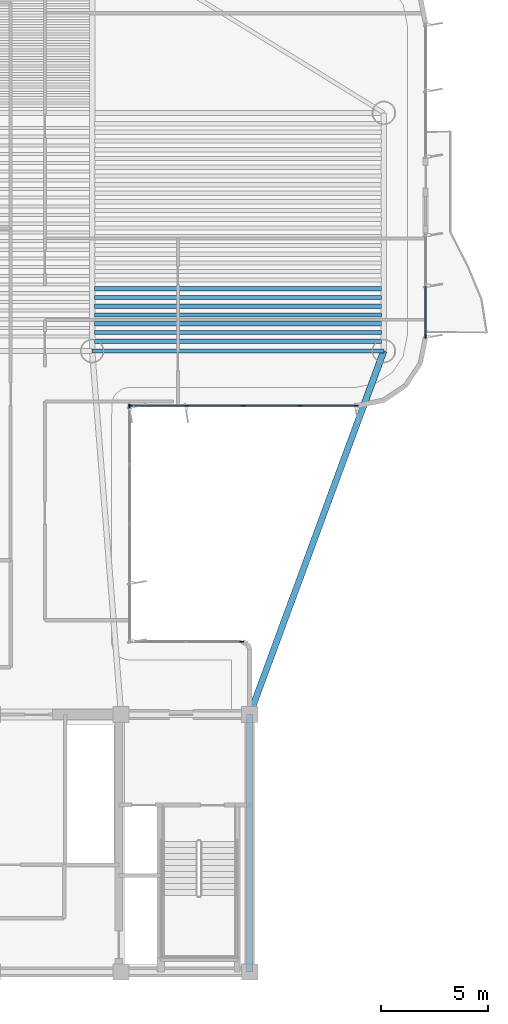
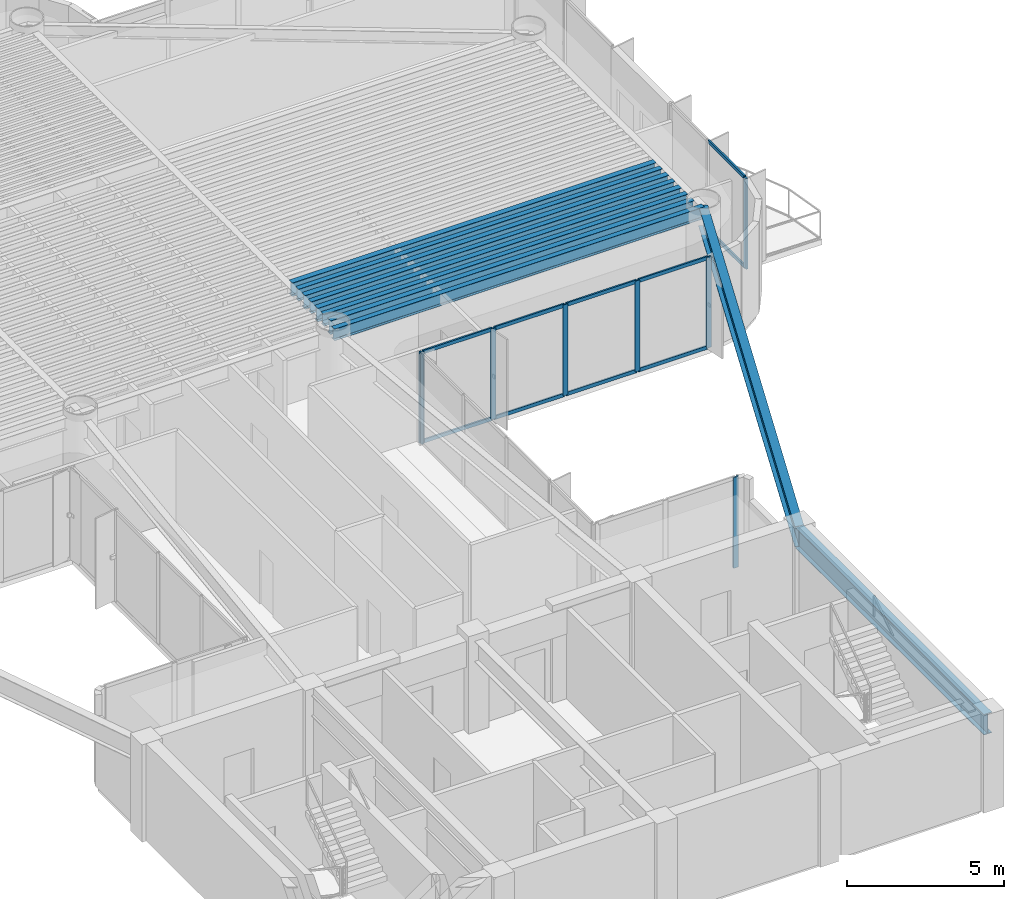
# One storey, part 4 of 14: 18 members, 10 beams, 4 elements without a shape of their own.
"""IFC4 building model written with IfcOpenShell, lengths in metres."""

from ifc_helpers import new_model, si_unit, direction, frame, origin, origin_2d, place, context, subcontext, project, spatial, rectangle, i_section, extrude, source, transform, mapped, material, layer, layer_set, material_profile, profile_set, type_object, element, aggregate, save


model = new_model("IFC4")

# Units and contexts
model_context = context("Model", 3, precision=1e-05, world=origin(), true_north=direction((0.0, 1.0)))
body_context = subcontext(model_context, "Body", "Model", "MODEL_VIEW")
ifc_project = project(units=[si_unit("LENGTHUNIT", "METRE"), si_unit("AREAUNIT", "SQUARE_METRE"), si_unit("VOLUMEUNIT", "CUBIC_METRE"), si_unit("PLANEANGLEUNIT", "RADIAN"), si_unit("MASSUNIT", "GRAM", prefix="KILO")], contexts=[model_context])

# Site, building, storey
site_placement = place(None, origin())
site = spatial("IfcSite", under=ifc_project, at=site_placement, CompositionType="ELEMENT")
building_placement = place(site_placement, origin())
building = spatial("IfcBuilding", under=site, at=building_placement, Name="Brelvock Crest Care Tower", CompositionType="ELEMENT")
storey_placement = place(building_placement, frame((0.0, 0.0, 175.320068359375)))
storey = spatial("IfcBuildingStorey", under=building, at=storey_placement, Name="L44", CompositionType="ELEMENT", Elevation=175.320068359375)

# Beams
ifc_material_1 = material(Name="Steel Grade 350", Category="steel")
ifc_material_profile_1 = material_profile(ifc_material_1, i_section(OverallWidth=0.300048828125, OverallDepth=0.800048828125, WebThickness=0.013916015625, FlangeThickness=0.02197265625, at=origin_2d()), Name="800WB192")
ifc_profile_set_1 = profile_set([ifc_material_profile_1], Name="Steel Grade 350")
beam_type_1 = type_object("IfcBeamType", Name="BM-G5", PredefinedType="BEAM", material=ifc_profile_set_1)
shared_shape_1 = source(origin(), body_context, "Body", "SweptSolid", [
    extrude(i_section(OverallWidth=0.300048828125, OverallDepth=0.800048828125, WebThickness=0.013916015625, FlangeThickness=0.02197265625, at=origin_2d()), origin(), (0.0, 0.0, 1.0), 12.0),
])
beam_1_placement = place(storey_placement, frame((48.0, 6.0, 3.1298828125), z_axis=(0.0, 1.0, 0.0), x_axis=(-1.0, 0.0, 0.0)))
element("IfcBeam", 1, at=beam_1_placement, inside=storey, type_object=beam_type_1, Name="BM-COREX-L44-5", PredefinedType="BEAM", context=body_context, shape_type="MappedRepresentation", body=[
    mapped(shared_shape_1, transform((0.0, 0.0, 0.0), x_axis=(1.0, 0.0, 0.0), y_axis=(0.0, 1.0, 0.0), z_axis=(0.0, 0.0, 1.0), scale=1.0)),
])
ifc_material_profile_2 = material_profile(ifc_material_1, i_section(OverallWidth=0.208984375, OverallDepth=0.532958984375, WebThickness=0.01025390625, FlangeThickness=0.015625, FilletRadius=0.013916015625, at=origin_2d()), Name="530UB92.4")
ifc_profile_set_2 = profile_set([ifc_material_profile_2], Name="Steel Grade 350")
beam_type_2 = type_object("IfcBeamType", Name="BM-G2", PredefinedType="BEAM", material=ifc_profile_set_2)
shared_shape_2 = source(origin(), body_context, "Body", "SweptSolid", [
    extrude(i_section(OverallWidth=0.208984375, OverallDepth=0.532958984375, WebThickness=0.01025390625, FlangeThickness=0.015625, FilletRadius=0.013916015625, at=origin_2d()), origin(), (0.0, 0.0, 1.0), 13.3701171875),
])
for number, where, z_axis, x_axis, name in (
    (2, (40.764892578125, 35.416259765625, 3.263427734375), (1.0, 0.0, 0.0), (0.0, 1.0, 0.0), "BM-JE-L44-1"),
    (3, (40.764892578125, 36.2265625, 3.263427734375), (1.0, 0.0, 0.0), (0.0, 1.0, 0.0), "BM-JE-L44-3"),
    (4, (40.764892578125, 37.036865234375, 3.263427734375), (1.0, 0.0, 0.0), (0.0, 1.0, 0.0), "BM-JE-L44-5"),
    (5, (40.764892578125, 37.84716796875, 3.263427734375), (1.0, 0.0, 0.0), (0.0, 1.0, 0.0), "BM-JE-L44-7"),
):
    element("IfcBeam", number, at=place(storey_placement, frame(where, z_axis=z_axis, x_axis=x_axis)), inside=storey, type_object=beam_type_2, Name=name, PredefinedType="BEAM", context=body_context, shape_type="MappedRepresentation", body=[
        mapped(shared_shape_2, transform((0.0, 0.0, 0.0), x_axis=(1.0, 0.0, 0.0), y_axis=(0.0, 1.0, 0.0), z_axis=(0.0, 0.0, 1.0), scale=1.0)),
    ])
ifc_material_profile_3 = material_profile(ifc_material_1, i_section(OverallWidth=0.19091796875, OverallDepth=0.4599609375, WebThickness=0.010009765625, FlangeThickness=0.01611328125, FilletRadius=0.011474609375, at=origin_2d()), Name="460UB82.1")
ifc_profile_set_3 = profile_set([ifc_material_profile_3], Name="Steel Grade 350")
beam_type_3 = type_object("IfcBeamType", Name="BM-G3", PredefinedType="BEAM", material=ifc_profile_set_3)
shared_shape_3 = source(origin(), body_context, "Body", "SweptSolid", [
    extrude(i_section(OverallWidth=0.19091796875, OverallDepth=0.4599609375, WebThickness=0.010009765625, FlangeThickness=0.01611328125, FilletRadius=0.011474609375, at=origin_2d()), origin(), (0.0, 0.0, 1.0), 13.3701171875),
])
for number, where, z_axis, x_axis, name in (
    (6, (40.764892578125, 35.8212890625, 3.300048828125), (1.0, 0.0, 0.0), (0.0, 1.0, 0.0), "BM-JE-L44-2"),
    (7, (40.764892578125, 36.631591796875, 3.300048828125), (1.0, 0.0, 0.0), (0.0, 1.0, 0.0), "BM-JE-L44-4"),
    (8, (40.764892578125, 37.44189453125, 3.300048828125), (1.0, 0.0, 0.0), (0.0, 1.0, 0.0), "BM-JE-L44-6"),
):
    element("IfcBeam", number, at=place(storey_placement, frame(where, z_axis=z_axis, x_axis=x_axis)), inside=storey, type_object=beam_type_3, Name=name, PredefinedType="BEAM", context=body_context, shape_type="MappedRepresentation", body=[
        mapped(shared_shape_3, transform((0.0, 0.0, 0.0), x_axis=(1.0, 0.0, 0.0), y_axis=(0.0, 1.0, 0.0), z_axis=(0.0, 0.0, 1.0), scale=1.0)),
    ])
ifc_material_profile_4 = material_profile(ifc_material_1, i_section(OverallWidth=0.19091796875, OverallDepth=0.4599609375, WebThickness=0.010009765625, FlangeThickness=0.01611328125, FilletRadius=0.011474609375, at=origin_2d()), Name="460UB82.1")
ifc_profile_set_4 = profile_set([ifc_material_profile_4], Name="Steel Grade 350")
beam_type_4 = type_object("IfcBeamType", Name="BM-SP2", PredefinedType="SPANDREL", material=ifc_profile_set_4)
shared_shape_4 = source(origin(), body_context, "Body", "SweptSolid", [
    extrude(i_section(OverallWidth=0.19091796875, OverallDepth=0.4599609375, WebThickness=0.010009765625, FlangeThickness=0.01611328125, FilletRadius=0.011474609375, at=origin_2d()), origin(), (0.0, 0.0, 1.0), 13.60009765625),
])
beam_2_placement = place(storey_placement, frame((40.64990234375, 34.949951171875, 3.300048828125), z_axis=(1.0, 0.0, 0.0), x_axis=(0.0, 1.0, 0.0)))
element("IfcBeam", 9, at=beam_2_placement, inside=storey, type_object=beam_type_4, Name="BM-TWR-L44-04", PredefinedType="SPANDREL", context=body_context, shape_type="MappedRepresentation", body=[
    mapped(shared_shape_4, transform((0.0, 0.0, 0.0), x_axis=(1.0, 0.0, 0.0), y_axis=(0.0, 1.0, 0.0), z_axis=(0.0, 0.0, 1.0), scale=1.0)),
])
shared_shape_5 = source(origin(), body_context, "Body", "SweptSolid", [
    extrude(i_section(OverallWidth=0.300048828125, OverallDepth=0.800048828125, WebThickness=0.013916015625, FlangeThickness=0.02197265625, at=origin_2d()), origin(), (0.0, 0.0, 1.0), 18.0654296875),
])
beam_3_placement = place(storey_placement, frame((48.0, 18.0, 3.1298828125), z_axis=(0.345962741309, 0.938248251597, 0.0), x_axis=(-0.938248251597, 0.345962741309, 0.0)))
element("IfcBeam", 10, at=beam_3_placement, inside=storey, type_object=beam_type_1, Name="BM-THRO-E-L44", PredefinedType="BEAM", context=body_context, shape_type="MappedRepresentation", body=[
    mapped(shared_shape_5, transform((0.0, 0.0, 0.0), x_axis=(1.0, 0.0, 0.0), y_axis=(0.0, 1.0, 0.0), z_axis=(0.0, 0.0, 1.0), scale=1.0)),
])

# Curtain wall, member
ifc_material_2 = material(Name="Dark Glass Double Glazed Low-E", Category="glass")
ifc_layer = layer(ifc_material_2, 0.22509765625, Name="CWS-4")
ifc_layer_set = layer_set([ifc_layer], Name="Dark Glass Double Glazed Low-E")
curtain_wall_type = type_object("IfcCurtainWallType", Name="CWS-4", PredefinedType="NOTDEFINED", material=ifc_layer_set)
curtain_wall_1_placement = place(storey_placement, origin())
curtain_wall_1 = element("IfcCurtainWall", 11, at=curtain_wall_1_placement, inside=storey, type_object=curtain_wall_type, Name="L44 Curtain Wall E39B", PredefinedType="NOTDEFINED")
ifc_material_3 = material(Name="Aluminium 6063-T6", Category="aluminium")
ifc_material_profile_5 = material_profile(ifc_material_3, rectangle(XDim=0.06005859375, YDim=0.179931640625, at=origin_2d()), Name="ALU60x180")
ifc_profile_set_5 = profile_set([ifc_material_profile_5], Name="Aluminium 6063-T6")
member_type_1 = type_object("IfcMemberType", Name="CWM-2", PredefinedType="MULLION", material=ifc_profile_set_5)
shared_shape_6 = source(origin(), body_context, "Body", "SweptSolid", [
    extrude(rectangle(XDim=0.06005859375, YDim=0.179931640625, at=origin_2d()), origin(), (0.0, 0.0, 1.0), 3.530029296875),
])
member_1_placement = place(storey_placement, frame((56.199951171875, 35.6298828125, 0.0), z_axis=(0.0, 0.0, 1.0), x_axis=(1.0, 0.0, 0.0)))
member_1 = element("IfcMember", 12, at=member_1_placement, type_object=member_type_1, Name="CW-4 mullion 3", PredefinedType="MULLION", context=body_context, shape_type="MappedRepresentation", body=[
    mapped(shared_shape_6, transform((0.0, 0.0, 0.0), x_axis=(1.0, 0.0, 0.0), y_axis=(0.0, 1.0, 0.0), z_axis=(0.0, 0.0, 1.0), scale=1.0)),
])

# Curtain wall, members
curtain_wall_2_placement = place(storey_placement, origin())
curtain_wall_2 = element("IfcCurtainWall", 13, at=curtain_wall_2_placement, inside=storey, type_object=curtain_wall_type, Name="L44 Curtain Wall E44", PredefinedType="NOTDEFINED")
member_2_placement = place(storey_placement, frame((52.969970703125, 32.39990234375, 0.0), z_axis=(0.0, 0.0, 1.0), x_axis=(0.0, -1.0, 0.0)))
member_2 = element("IfcMember", 14, at=member_2_placement, type_object=member_type_1, Name="CW-4 mullion 1", PredefinedType="MULLION", context=body_context, shape_type="MappedRepresentation", body=[
    mapped(shared_shape_6, transform((0.0, 0.0, 0.0), x_axis=(1.0, 0.0, 0.0), y_axis=(0.0, 1.0, 0.0), z_axis=(0.0, 0.0, 1.0), scale=1.0)),
])
member_3_placement = place(storey_placement, frame((50.35009765625, 32.39990234375, 0.0), z_axis=(0.0, 0.0, 1.0), x_axis=(0.0, -1.0, 0.0)))
member_3 = element("IfcMember", 15, at=member_3_placement, type_object=member_type_1, Name="CW-4 mullion 2", PredefinedType="MULLION", context=body_context, shape_type="MappedRepresentation", body=[
    mapped(shared_shape_6, transform((0.0, 0.0, 0.0), x_axis=(1.0, 0.0, 0.0), y_axis=(0.0, 1.0, 0.0), z_axis=(0.0, 0.0, 1.0), scale=1.0)),
])
member_4_placement = place(storey_placement, frame((47.699951171875, 32.39990234375, 0.0), z_axis=(0.0, 0.0, 1.0), x_axis=(0.0, -1.0, 0.0)))
member_4 = element("IfcMember", 16, at=member_4_placement, type_object=member_type_1, Name="CW-4 mullion 3", PredefinedType="MULLION", context=body_context, shape_type="MappedRepresentation", body=[
    mapped(shared_shape_6, transform((0.0, 0.0, 0.0), x_axis=(1.0, 0.0, 0.0), y_axis=(0.0, 1.0, 0.0), z_axis=(0.0, 0.0, 1.0), scale=1.0)),
])
member_5_placement = place(storey_placement, frame((45.050048828125, 32.39990234375, 0.0), z_axis=(0.0, 0.0, 1.0), x_axis=(0.0, -1.0, 0.0)))
member_5 = element("IfcMember", 17, at=member_5_placement, type_object=member_type_1, Name="CW-4 mullion 4", PredefinedType="MULLION", context=body_context, shape_type="MappedRepresentation", body=[
    mapped(shared_shape_6, transform((0.0, 0.0, 0.0), x_axis=(1.0, 0.0, 0.0), y_axis=(0.0, 1.0, 0.0), z_axis=(0.0, 0.0, 1.0), scale=1.0)),
])
member_6_placement = place(storey_placement, frame((42.429931640625, 32.39990234375, 0.0), z_axis=(0.0, 0.0, 1.0), x_axis=(0.0, -1.0, 0.0)))
member_6 = element("IfcMember", 18, at=member_6_placement, type_object=member_type_1, Name="CW-4 mullion 5", PredefinedType="MULLION", context=body_context, shape_type="MappedRepresentation", body=[
    mapped(shared_shape_6, transform((0.0, 0.0, 0.0), x_axis=(1.0, 0.0, 0.0), y_axis=(0.0, 1.0, 0.0), z_axis=(0.0, 0.0, 1.0), scale=1.0)),
])

# Curtain wall, member
curtain_wall_3_placement = place(storey_placement, origin())
curtain_wall_3 = element("IfcCurtainWall", 19, at=curtain_wall_3_placement, inside=storey, type_object=curtain_wall_type, Name="L44 Curtain Wall E45", PredefinedType="NOTDEFINED")
member_7_placement = place(storey_placement, frame((42.39990234375, 32.3701171875, 0.0), z_axis=(0.0, 0.0, 1.0), x_axis=(1.0, 0.0, 0.0)))
member_7 = element("IfcMember", 20, at=member_7_placement, type_object=member_type_1, Name="CW-4 mullion 1", PredefinedType="MULLION", context=body_context, shape_type="MappedRepresentation", body=[
    mapped(shared_shape_6, transform((0.0, 0.0, 0.0), x_axis=(1.0, 0.0, 0.0), y_axis=(0.0, 1.0, 0.0), z_axis=(0.0, 0.0, 1.0), scale=1.0)),
])
aggregate(curtain_wall_3, [member_7])

curtain_wall_4_placement = place(storey_placement, origin())
curtain_wall_4 = element("IfcCurtainWall", 21, at=curtain_wall_4_placement, inside=storey, type_object=curtain_wall_type, Name="L44 Curtain Wall E46", PredefinedType="NOTDEFINED")
member_8_placement = place(storey_placement, frame((47.6201171875, 21.39990234375, 0.0), z_axis=(0.0, 0.0, 1.0), x_axis=(0.0, 1.0, 0.0)))
member_8 = element("IfcMember", 22, at=member_8_placement, type_object=member_type_1, Name="CW-4 mullion 3", PredefinedType="MULLION", context=body_context, shape_type="MappedRepresentation", body=[
    mapped(shared_shape_6, transform((0.0, 0.0, 0.0), x_axis=(1.0, 0.0, 0.0), y_axis=(0.0, 1.0, 0.0), z_axis=(0.0, 0.0, 1.0), scale=1.0)),
])
aggregate(curtain_wall_4, [member_8])

# Member
ifc_material_profile_6 = material_profile(ifc_material_3, rectangle(XDim=0.06005859375, YDim=0.139892578125, at=origin_2d()), Name="ALU60x140")
ifc_profile_set_6 = profile_set([ifc_material_profile_6], Name="Aluminium 6063-T6")
member_type_2 = type_object("IfcMemberType", Name="CWT-2", PredefinedType="USERDEFINED", material=ifc_profile_set_6)
shared_shape_7 = source(origin(), body_context, "Body", "SweptSolid", [
    extrude(rectangle(XDim=0.06005859375, YDim=0.139892578125, at=origin_2d()), origin(), (0.0, 0.0, 1.0), 2.56005859375),
])
member_9_placement = place(storey_placement, frame((52.93994140625, 32.39990234375, 0.030029296875), z_axis=(-1.0, 0.0, 0.0), x_axis=(0.0, -1.0, 0.0)))
member_9 = element("IfcMember", 23, at=member_9_placement, type_object=member_type_2, Name="CW-4 transom 1.1", ObjectType="TRANSOM", PredefinedType="USERDEFINED", context=body_context, shape_type="MappedRepresentation", body=[
    mapped(shared_shape_7, transform((0.0, 0.0, 0.0), x_axis=(1.0, 0.0, 0.0), y_axis=(0.0, 1.0, 0.0), z_axis=(0.0, 0.0, 1.0), scale=1.0)),
])

member_10_placement = place(storey_placement, frame((52.93994140625, 32.39990234375, 3.5), z_axis=(-1.0, 0.0, 0.0), x_axis=(0.0, -1.0, 0.0)))
member_10 = element("IfcMember", 24, at=member_10_placement, type_object=member_type_2, Name="CW-4 transom 1.2", ObjectType="TRANSOM", PredefinedType="USERDEFINED", context=body_context, shape_type="MappedRepresentation", body=[
    mapped(shared_shape_7, transform((0.0, 0.0, 0.0), x_axis=(1.0, 0.0, 0.0), y_axis=(0.0, 1.0, 0.0), z_axis=(0.0, 0.0, 1.0), scale=1.0)),
])

member_11_placement = place(storey_placement, frame((45.02001953125, 32.39990234375, 0.030029296875), z_axis=(-1.0, 0.0, 0.0), x_axis=(0.0, -1.0, 0.0)))
member_11 = element("IfcMember", 25, at=member_11_placement, type_object=member_type_2, Name="CW-4 transom 4.1", ObjectType="TRANSOM", PredefinedType="USERDEFINED", context=body_context, shape_type="MappedRepresentation", body=[
    mapped(shared_shape_7, transform((0.0, 0.0, 0.0), x_axis=(1.0, 0.0, 0.0), y_axis=(0.0, 1.0, 0.0), z_axis=(0.0, 0.0, 1.0), scale=1.0)),
])

member_12_placement = place(storey_placement, frame((45.02001953125, 32.39990234375, 3.5), z_axis=(-1.0, 0.0, 0.0), x_axis=(0.0, -1.0, 0.0)))
member_12 = element("IfcMember", 26, at=member_12_placement, type_object=member_type_2, Name="CW-4 transom 4.2", ObjectType="TRANSOM", PredefinedType="USERDEFINED", context=body_context, shape_type="MappedRepresentation", body=[
    mapped(shared_shape_7, transform((0.0, 0.0, 0.0), x_axis=(1.0, 0.0, 0.0), y_axis=(0.0, 1.0, 0.0), z_axis=(0.0, 0.0, 1.0), scale=1.0)),
])

shared_shape_8 = source(origin(), body_context, "Body", "SweptSolid", [
    extrude(rectangle(XDim=0.06005859375, YDim=0.139892578125, at=origin_2d()), origin(), (0.0, 0.0, 1.0), 2.58984375),
])
member_13_placement = place(storey_placement, frame((47.669921875, 32.39990234375, 0.030029296875), z_axis=(-1.0, 0.0, 0.0), x_axis=(0.0, -1.0, 0.0)))
member_13 = element("IfcMember", 27, at=member_13_placement, type_object=member_type_2, Name="CW-4 transom 3.1", ObjectType="TRANSOM", PredefinedType="USERDEFINED", context=body_context, shape_type="MappedRepresentation", body=[
    mapped(shared_shape_8, transform((0.0, 0.0, 0.0), x_axis=(1.0, 0.0, 0.0), y_axis=(0.0, 1.0, 0.0), z_axis=(0.0, 0.0, 1.0), scale=1.0)),
])

member_14_placement = place(storey_placement, frame((47.669921875, 32.39990234375, 3.5), z_axis=(-1.0, 0.0, 0.0), x_axis=(0.0, -1.0, 0.0)))
member_14 = element("IfcMember", 28, at=member_14_placement, type_object=member_type_2, Name="CW-4 transom 3.2", ObjectType="TRANSOM", PredefinedType="USERDEFINED", context=body_context, shape_type="MappedRepresentation", body=[
    mapped(shared_shape_8, transform((0.0, 0.0, 0.0), x_axis=(1.0, 0.0, 0.0), y_axis=(0.0, 1.0, 0.0), z_axis=(0.0, 0.0, 1.0), scale=1.0)),
])

shared_shape_9 = source(origin(), body_context, "Body", "SweptSolid", [
    extrude(rectangle(XDim=0.06005859375, YDim=0.139892578125, at=origin_2d()), origin(), (0.0, 0.0, 1.0), 2.590087890625),
])
member_15_placement = place(storey_placement, frame((50.320068359375, 32.39990234375, 0.030029296875), z_axis=(-1.0, 0.0, 0.0), x_axis=(0.0, -1.0, 0.0)))
member_15 = element("IfcMember", 29, at=member_15_placement, type_object=member_type_2, Name="CW-4 transom 2.1", ObjectType="TRANSOM", PredefinedType="USERDEFINED", context=body_context, shape_type="MappedRepresentation", body=[
    mapped(shared_shape_9, transform((0.0, 0.0, 0.0), x_axis=(1.0, 0.0, 0.0), y_axis=(0.0, 1.0, 0.0), z_axis=(0.0, 0.0, 1.0), scale=1.0)),
])

member_16_placement = place(storey_placement, frame((50.320068359375, 32.39990234375, 3.5), z_axis=(-1.0, 0.0, 0.0), x_axis=(0.0, -1.0, 0.0)))
member_16 = element("IfcMember", 30, at=member_16_placement, type_object=member_type_2, Name="CW-4 transom 2.2", ObjectType="TRANSOM", PredefinedType="USERDEFINED", context=body_context, shape_type="MappedRepresentation", body=[
    mapped(shared_shape_9, transform((0.0, 0.0, 0.0), x_axis=(1.0, 0.0, 0.0), y_axis=(0.0, 1.0, 0.0), z_axis=(0.0, 0.0, 1.0), scale=1.0)),
])

aggregate(curtain_wall_2, [member_2, member_3, member_4, member_5, member_6, member_9, member_10, member_15, member_16, member_13, member_14, member_11, member_12])

shared_shape_10 = source(origin(), body_context, "Body", "SweptSolid", [
    extrude(rectangle(XDim=0.06005859375, YDim=0.139892578125, at=origin_2d()), origin(), (0.0, 0.0, 1.0), 2.31005859375),
])
member_17_placement = place(storey_placement, frame((56.199951171875, 37.969970703125, 0.030029296875), z_axis=(0.0, -1.0, 0.0), x_axis=(1.0, 0.0, 0.0)))
member_17 = element("IfcMember", 31, at=member_17_placement, type_object=member_type_2, Name="CW-4 transom 2.1", ObjectType="TRANSOM", PredefinedType="USERDEFINED", context=body_context, shape_type="MappedRepresentation", body=[
    mapped(shared_shape_10, transform((0.0, 0.0, 0.0), x_axis=(1.0, 0.0, 0.0), y_axis=(0.0, 1.0, 0.0), z_axis=(0.0, 0.0, 1.0), scale=1.0)),
])

member_18_placement = place(storey_placement, frame((56.199951171875, 37.969970703125, 3.5), z_axis=(0.0, -1.0, 0.0), x_axis=(1.0, 0.0, 0.0)))
member_18 = element("IfcMember", 32, at=member_18_placement, type_object=member_type_2, Name="CW-4 transom 2.2", ObjectType="TRANSOM", PredefinedType="USERDEFINED", context=body_context, shape_type="MappedRepresentation", body=[
    mapped(shared_shape_10, transform((0.0, 0.0, 0.0), x_axis=(1.0, 0.0, 0.0), y_axis=(0.0, 1.0, 0.0), z_axis=(0.0, 0.0, 1.0), scale=1.0)),
])

aggregate(curtain_wall_1, [member_1, member_17, member_18])

save(model, "model.ifc")
